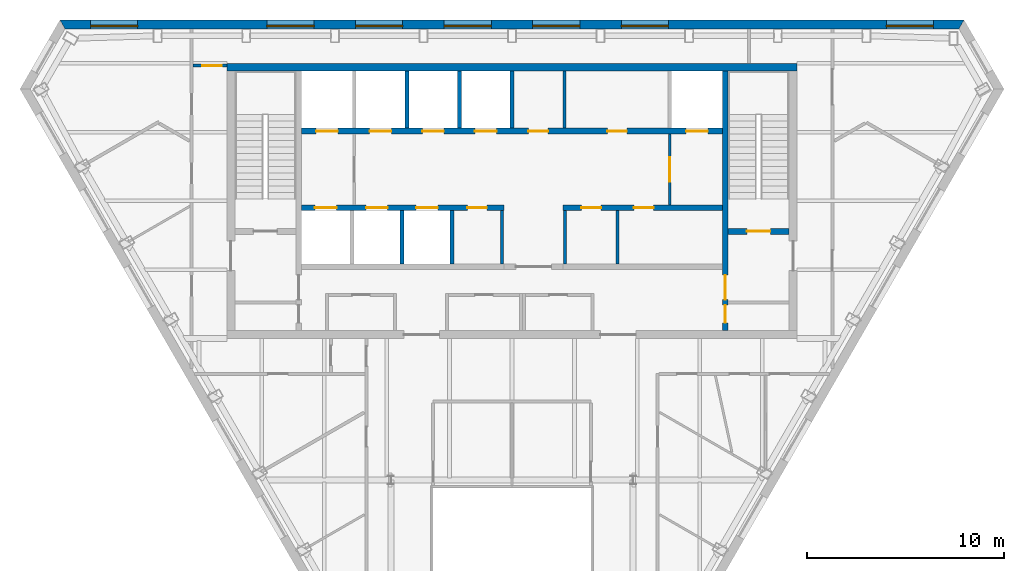
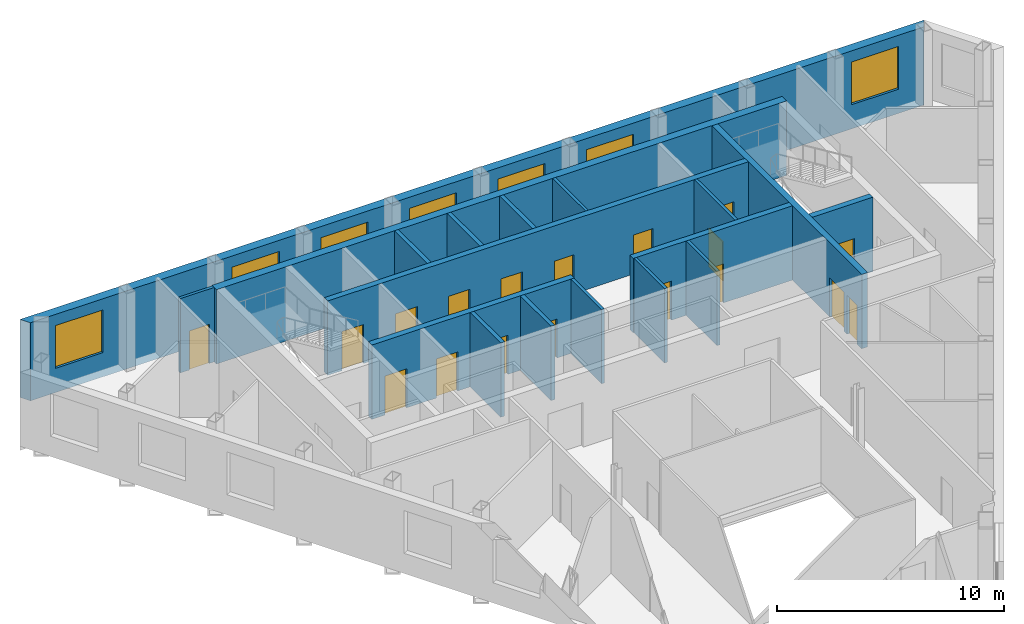
# One storey, part 6 of 10: 18 doors, 18 walls, 7 windows, 25 openings.
"""IFC4 building model written with IfcOpenShell, lengths in metres."""

from ifc_helpers import new_model, si_unit, direction, frame, frame_2d, origin, place, context, subcontext, project, spatial, polyline, rectangle, outline, extrude, material, layer, layer_set, type_object, element, fill, save


model = new_model("IFC4")

# Units and contexts
model_context = context("Model", 3, precision=1e-05, world=origin(), true_north=direction((0.0, 1.0)))
body_context = subcontext(model_context, "Body", "Model", "MODEL_VIEW")
ifc_project = project(units=[si_unit("LENGTHUNIT", "METRE"), si_unit("AREAUNIT", "SQUARE_METRE"), si_unit("VOLUMEUNIT", "CUBIC_METRE"), si_unit("PLANEANGLEUNIT", "RADIAN"), si_unit("MASSUNIT", "GRAM", prefix="KILO")], contexts=[model_context])

# Site, building, storey
site_placement = place(None, origin())
site = spatial("IfcSite", under=ifc_project, at=site_placement, CompositionType="ELEMENT")
building_placement = place(site_placement, origin())
building = spatial("IfcBuilding", under=site, at=building_placement, Name="Njiva Tower", CompositionType="ELEMENT")
storey_placement = place(building_placement, frame((0.0, 0.0, 329.4)))
storey = spatial("IfcBuildingStorey", under=building, at=storey_placement, Name="L75", CompositionType="ELEMENT", Elevation=329.4)

# Walls
ifc_material_1 = material(Name="Blockwork", Category="masonry")
ifc_layer_1 = layer(ifc_material_1, 0.15)
ifc_layer_set_1 = layer_set([ifc_layer_1], Name="Blockwork")
wall_type_1 = type_object("IfcWallType", Name="WT1 Compartment partition 150", PredefinedType="PARTITIONING", material=ifc_layer_set_1)
wall_1_placement = place(storey_placement, frame((2.675, 14.7, 0.0), z_axis=(0.0, 0.0, 1.0), x_axis=(0.0, 1.0, 0.0)))
element("IfcWall", 1, at=wall_1_placement, inside=storey, type_object=wall_type_1, Name="Partition CN5", PredefinedType="PARTITIONING", context=body_context, shape_type="SweptSolid", body=[
    extrude(rectangle(XDim=2.9, YDim=0.15, at=frame_2d((1.45, 0.0))), origin(), (0.0, 0.0, 1.0), 4.0),
])
for number, where, z_axis, x_axis, name in (
    (2, (-0.5, 7.8, 0.0), (0.0, 0.0, 1.0), (0.0, 1.0, 0.0), "Partition CS4"),
    (3, (2.7, 7.8, 0.0), (0.0, 0.0, 1.0), (0.0, 1.0, 0.0), "Partition CS5"),
    (4, (5.3667, 7.8, 0.0), (0.0, 0.0, 1.0), (0.0, 1.0, 0.0), "Partition CS6"),
):
    element("IfcWall", number, at=place(storey_placement, frame(where, z_axis=z_axis, x_axis=x_axis)), inside=storey, type_object=wall_type_1, Name=name, PredefinedType="PARTITIONING", context=body_context, shape_type="SweptSolid", body=[
        extrude(rectangle(XDim=2.7, YDim=0.15, at=frame_2d((1.35, 0.0))), origin(), (0.0, 0.0, 1.0), 4.0),
    ])

# Wall, openings, doors
ifc_material_2 = material(Name="Concrete C40/50", Category="concrete")
ifc_layer_2 = layer(ifc_material_2, 0.3)
ifc_layer_set_2 = layer_set([ifc_layer_2], Name="Concrete C40/50")
wall_type_2 = type_object("IfcWallType", Name="WT10 Stair enclosure wall 300", PredefinedType="SHEAR", material=ifc_layer_set_2)
wall_2_placement = place(storey_placement, frame((10.85, 4.4, 0.0), z_axis=(0.0, 0.0, 1.0), x_axis=(0.0, 1.0, 0.0)))
wall_2 = element("IfcWall", 5, at=wall_2_placement, inside=storey, type_object=wall_type_2, Name="Stair wall east inner", PredefinedType="SHEAR", context=body_context, shape_type="SweptSolid", body=[
    extrude(rectangle(XDim=13.2, YDim=0.3, at=frame_2d((6.6, 0.0))), origin(), (0.0, 0.0, 1.0), 4.0),
])
opening_1_placement = place(wall_2_placement, frame((1.575, 0.0, 0.0)))
opening_1 = element("IfcOpeningElement", 6, at=opening_1_placement, cuts=wall_2, Name="Opening S26-D921", PredefinedType="OPENING", context=body_context, shape_type="SweptSolid", body=[
    extrude(rectangle(XDim=1.25, YDim=2.1, at=frame_2d((0.625, 1.05))), frame((0.0, 0.16, 0.0), z_axis=(0.0, -1.0, 0.0), x_axis=(1.0, 0.0, 0.0)), (0.0, 0.0, 1.0), 0.32),
])
opening_2_placement = place(wall_2_placement, frame((0.4, 0.0, 0.0)))
opening_2 = element("IfcOpeningElement", 7, at=opening_2_placement, cuts=wall_2, Name="Opening S26-D923", PredefinedType="OPENING", context=body_context, shape_type="SweptSolid", body=[
    extrude(rectangle(XDim=0.9, YDim=2.1, at=frame_2d((0.45, 1.05))), frame((0.0, 0.16, 0.0), z_axis=(0.0, -1.0, 0.0), x_axis=(1.0, 0.0, 0.0)), (0.0, 0.0, 1.0), 0.32),
])
ifc_material_3 = material(Name="Steel door, painted", Category="steel")
door_type_1 = type_object("IfcDoorType", Name="D13 Steel door 900x2100", OperationType="SINGLE_SWING_LEFT", PredefinedType="DOOR", material=ifc_material_3)
door_1_placement = place(opening_2_placement, origin())
door_1 = element("IfcDoor", 8, at=door_1_placement, inside=storey, type_object=door_type_1, Name="Business centre door", OperationType="SINGLE_SWING_LEFT", OverallHeight=2.1, OverallWidth=0.9, PredefinedType="DOOR", context=body_context, shape_type="SweptSolid", body=[
    extrude(rectangle(XDim=0.9, YDim=2.1, at=frame_2d((0.45, 1.05))), frame((0.0, 0.025, 0.0), z_axis=(0.0, -1.0, 0.0), x_axis=(1.0, 0.0, 0.0)), (0.0, 0.0, 1.0), 0.05),
])
fill(opening_2, door_1)
ifc_material_4 = material(Name="Glazed steel fire door", Category="steel")
door_type_2 = type_object("IfcDoorType", Name="D8 Vestibule corridor door 1250x2100 glazed", OperationType="SINGLE_SWING_LEFT", PredefinedType="DOOR", material=ifc_material_4)
door_2_placement = place(opening_1_placement, origin())
door_2 = element("IfcDoor", 9, at=door_2_placement, inside=storey, type_object=door_type_2, Name="Stair vestibule corridor door", OperationType="SINGLE_SWING_RIGHT", OverallHeight=2.1, OverallWidth=1.25, PredefinedType="DOOR", context=body_context, shape_type="SweptSolid", body=[
    extrude(rectangle(XDim=1.25, YDim=2.1, at=frame_2d((0.625, 1.05))), frame((0.0, 0.025, 0.0), z_axis=(0.0, -1.0, 0.0), x_axis=(1.0, 0.0, 0.0)), (0.0, 0.0, 1.0), 0.05),
])
fill(opening_1, door_2)

# Wall, opening, door
wall_3_placement = place(storey_placement, frame((11.0, 9.45, 0.0), z_axis=(0.0, 0.0, 1.0), x_axis=(1.0, 0.0, 0.0)))
wall_3 = element("IfcWall", 10, at=wall_3_placement, inside=storey, type_object=wall_type_2, Name="Stair B south wall", PredefinedType="SHEAR", context=body_context, shape_type="SweptSolid", body=[
    extrude(rectangle(XDim=3.1, YDim=0.3, at=frame_2d((1.55, 0.0))), origin(), (0.0, 0.0, 1.0), 4.0),
])
opening_3_placement = place(wall_3_placement, frame((0.95, 0.0, 0.0)))
opening_3 = element("IfcOpeningElement", 11, at=opening_3_placement, cuts=wall_3, Name="Opening S26-D920", PredefinedType="OPENING", context=body_context, shape_type="SweptSolid", body=[
    extrude(rectangle(XDim=1.2, YDim=2.1, at=frame_2d((0.6, 1.05))), frame((0.0, 0.16, 0.0), z_axis=(0.0, -1.0, 0.0), x_axis=(1.0, 0.0, 0.0)), (0.0, 0.0, 1.0), 0.32),
])
door_type_3 = type_object("IfcDoorType", Name="D7 Stair vestibule door 1200x2100 glazed", OperationType="SINGLE_SWING_LEFT", PredefinedType="DOOR", material=ifc_material_4)
door_3_placement = place(opening_3_placement, origin())
door_3 = element("IfcDoor", 12, at=door_3_placement, inside=storey, type_object=door_type_3, Name="Stair B door", OperationType="SINGLE_SWING_LEFT", OverallHeight=2.1, OverallWidth=1.2, PredefinedType="DOOR", context=body_context, shape_type="SweptSolid", body=[
    extrude(rectangle(XDim=1.2, YDim=2.1, at=frame_2d((0.6, 1.05))), frame((0.0, 0.025, 0.0), z_axis=(0.0, -1.0, 0.0), x_axis=(1.0, 0.0, 0.0)), (0.0, 0.0, 1.0), 0.05),
])
fill(opening_3, door_3)

# Wall
ifc_material_5 = material(Name="Concrete C60/75", Category="concrete")
ifc_layer_3 = layer(ifc_material_5, 0.4)
ifc_layer_set_3 = layer_set([ifc_layer_3], Name="Concrete C60/75")
wall_type_3 = type_object("IfcWallType", Name="WT11 Core wall 400", PredefinedType="SHEAR", material=ifc_layer_set_3)
wall_4_placement = place(storey_placement, frame((-14.5, 17.8, 0.0), z_axis=(0.0, 0.0, 1.0), x_axis=(1.0, 0.0, 0.0)))
element("IfcWall", 13, at=wall_4_placement, inside=storey, type_object=wall_type_3, Name="Core wall north", PredefinedType="SHEAR", context=body_context, shape_type="SweptSolid", body=[
    extrude(rectangle(XDim=29.0, YDim=0.4, at=frame_2d((14.5, 0.0))), origin(), (0.0, 0.0, 1.0), 4.0),
])

# Wall, opening, door
ifc_layer_4 = layer(ifc_material_1, 0.15)
ifc_layer_set_4 = layer_set([ifc_layer_4], Name="Blockwork")
wall_type_4 = type_object("IfcWallType", Name="WT2 Lobby partition 150", PredefinedType="PARTITIONING", material=ifc_layer_set_4)
wall_5_placement = place(storey_placement, frame((8.025, 10.8, 0.0), z_axis=(0.0, 0.0, 1.0), x_axis=(0.0, 1.0, 0.0)))
wall_5 = element("IfcWall", 14, at=wall_5_placement, inside=storey, type_object=wall_type_4, Name="Firefighting lobby wall B", PredefinedType="PARTITIONING", context=body_context, shape_type="SweptSolid", body=[
    extrude(rectangle(XDim=3.6, YDim=0.15, at=frame_2d((1.8, 0.0))), origin(), (0.0, 0.0, 1.0), 4.0),
])
opening_4_placement = place(wall_5_placement, frame((1.175, 0.0, 0.0)))
opening_4 = element("IfcOpeningElement", 15, at=opening_4_placement, cuts=wall_5, Name="Opening S26-D919", PredefinedType="OPENING", context=body_context, shape_type="SweptSolid", body=[
    extrude(rectangle(XDim=1.25, YDim=2.1, at=frame_2d((0.625, 1.05))), frame((0.0, 0.085, 0.0), z_axis=(0.0, -1.0, 0.0), x_axis=(1.0, 0.0, 0.0)), (0.0, 0.0, 1.0), 0.17),
])
door_4_placement = place(opening_4_placement, origin())
door_4 = element("IfcDoor", 16, at=door_4_placement, inside=storey, type_object=door_type_2, Name="Stair vestibule corridor door", OperationType="SINGLE_SWING_LEFT", OverallHeight=2.1, OverallWidth=1.25, PredefinedType="DOOR", context=body_context, shape_type="SweptSolid", body=[
    extrude(rectangle(XDim=1.25, YDim=2.1, at=frame_2d((0.625, 1.05))), frame((0.0, 0.025, 0.0), z_axis=(0.0, -1.0, 0.0), x_axis=(1.0, 0.0, 0.0)), (0.0, 0.0, 1.0), 0.05),
])
fill(opening_4, door_4)

ifc_material_6 = material(Name="Gypsum board on steel studs", Category="gypsum")
ifc_layer_5 = layer(ifc_material_6, 0.15)
ifc_layer_set_5 = layer_set([ifc_layer_5], Name="Gypsum board on steel studs")
wall_type_5 = type_object("IfcWallType", Name="WT21 Compartment wall 150", PredefinedType="PARTITIONING", material=ifc_layer_set_5)
wall_6_placement = place(storey_placement, frame((-16.225, 17.879, 0.0), z_axis=(0.0, 0.0, 1.0), x_axis=(1.0, 0.0, 0.0)))
wall_6 = element("IfcWall", 17, at=wall_6_placement, inside=storey, type_object=wall_type_5, Name="Partition S26-P005", PredefinedType="PARTITIONING", context=body_context, shape_type="SweptSolid", body=[
    extrude(rectangle(XDim=1.725, YDim=0.15, at=frame_2d((0.8625, 0.0))), origin(), (0.0, 0.0, 1.0), 4.0),
])
opening_5_placement = place(wall_6_placement, frame((0.471, 0.0, 0.0)))
opening_5 = element("IfcOpeningElement", 18, at=opening_5_placement, cuts=wall_6, Name="Opening S26-D004", PredefinedType="OPENING", context=body_context, shape_type="SweptSolid", body=[
    extrude(rectangle(XDim=1.0, YDim=2.1, at=frame_2d((0.5, 1.05))), frame((0.0, 0.085, 0.0), z_axis=(0.0, -1.0, 0.0), x_axis=(1.0, 0.0, 0.0)), (0.0, 0.0, 1.0), 0.17),
])
ifc_material_7 = material(Name="Steel fire door set", Category="steel")
door_type_4 = type_object("IfcDoorType", Name="D37 Fire door 1000x2100", OperationType="SINGLE_SWING_LEFT", PredefinedType="DOOR", material=ifc_material_7)
door_5_placement = place(opening_5_placement, origin())
door_5 = element("IfcDoor", 19, at=door_5_placement, inside=storey, type_object=door_type_4, Name="Door S26-D004", OperationType="SINGLE_SWING_LEFT", OverallHeight=2.1, OverallWidth=1.0, PredefinedType="DOOR", context=body_context, shape_type="SweptSolid", body=[
    extrude(rectangle(XDim=1.0, YDim=2.1, at=frame_2d((0.5, 1.05))), frame((0.0, 0.025, 0.0), z_axis=(0.0, -1.0, 0.0), x_axis=(1.0, 0.0, 0.0)), (0.0, 0.0, 1.0), 0.05),
])
fill(opening_5, door_5)

# Walls
ifc_layer_6 = layer(ifc_material_2, 0.2)
ifc_layer_set_6 = layer_set([ifc_layer_6], Name="Concrete C40/50")
wall_type_6 = type_object("IfcWallType", Name="WT6 Lift shaft wall 200", PredefinedType="SHEAR", material=ifc_layer_set_6)
for number, where, z_axis, x_axis, name in (
    (20, (-5.35, 14.7, 0.0), (0.0, 0.0, 1.0), (0.0, 1.0, 0.0), "Shaft wall CN2"),
    (21, (-2.675, 14.7, 0.0), (0.0, 0.0, 1.0), (0.0, 1.0, 0.0), "Shaft wall CN3"),
    (22, (0.0, 14.7, 0.0), (0.0, 0.0, 1.0), (0.0, 1.0, 0.0), "Shaft wall CN4"),
):
    element("IfcWall", number, at=place(storey_placement, frame(where, z_axis=z_axis, x_axis=x_axis)), inside=storey, type_object=wall_type_6, Name=name, PredefinedType="SHEAR", context=body_context, shape_type="SweptSolid", body=[
        extrude(rectangle(XDim=2.9, YDim=0.2, at=frame_2d((1.45, 0.0))), origin(), (0.0, 0.0, 1.0), 4.0),
    ])
for number, where, z_axis, x_axis, name in (
    (23, (-5.6, 7.8, 0.0), (0.0, 0.0, 1.0), (0.0, 1.0, 0.0), "Shaft wall CS2"),
    (24, (-3.05, 7.8, 0.0), (0.0, 0.0, 1.0), (0.0, 1.0, 0.0), "Shaft wall CS3"),
):
    element("IfcWall", number, at=place(storey_placement, frame(where, z_axis=z_axis, x_axis=x_axis)), inside=storey, type_object=wall_type_6, Name=name, PredefinedType="SHEAR", context=body_context, shape_type="SweptSolid", body=[
        extrude(rectangle(XDim=2.7, YDim=0.2, at=frame_2d((1.35, 0.0))), origin(), (0.0, 0.0, 1.0), 4.0),
    ])

# Wall, openings, doors
ifc_layer_7 = layer(ifc_material_2, 0.3)
ifc_layer_set_7 = layer_set([ifc_layer_7], Name="Concrete C40/50")
wall_type_7 = type_object("IfcWallType", Name="WT7 Lift shaft wall 300", PredefinedType="SHEAR", material=ifc_layer_set_7)
wall_7_placement = place(storey_placement, frame((-10.7, 14.55, 0.0), z_axis=(0.0, 0.0, 1.0), x_axis=(1.0, 0.0, 0.0)))
wall_7 = element("IfcWall", 25, at=wall_7_placement, inside=storey, type_object=wall_type_7, Name="Shaft wall north row lobby side", PredefinedType="SHEAR", context=body_context, shape_type="SweptSolid", body=[
    extrude(rectangle(XDim=21.4, YDim=0.3, at=frame_2d((10.7, 0.0))), origin(), (0.0, 0.0, 1.0), 4.0),
])
opening_6_placement = place(wall_7_placement, frame((0.7375, 0.0, 0.0)))
opening_6 = element("IfcOpeningElement", 26, at=opening_6_placement, cuts=wall_7, Name="Opening S26-D901", PredefinedType="OPENING", context=body_context, shape_type="SweptSolid", body=[
    extrude(rectangle(XDim=1.1, YDim=2.1, at=frame_2d((0.55, 1.05))), frame((0.0, 0.16, 0.0), z_axis=(0.0, -1.0, 0.0), x_axis=(1.0, 0.0, 0.0)), (0.0, 0.0, 1.0), 0.32),
])
opening_7_placement = place(wall_7_placement, frame((3.4625, 0.0, 0.0)))
opening_7 = element("IfcOpeningElement", 27, at=opening_7_placement, cuts=wall_7, Name="Opening S26-D902", PredefinedType="OPENING", context=body_context, shape_type="SweptSolid", body=[
    extrude(rectangle(XDim=1.1, YDim=2.1, at=frame_2d((0.55, 1.05))), frame((0.0, 0.16, 0.0), z_axis=(0.0, -1.0, 0.0), x_axis=(1.0, 0.0, 0.0)), (0.0, 0.0, 1.0), 0.32),
])
opening_8_placement = place(wall_7_placement, frame((6.1375, 0.0, 0.0)))
opening_8 = element("IfcOpeningElement", 28, at=opening_8_placement, cuts=wall_7, Name="Opening S26-D903", PredefinedType="OPENING", context=body_context, shape_type="SweptSolid", body=[
    extrude(rectangle(XDim=1.1, YDim=2.1, at=frame_2d((0.55, 1.05))), frame((0.0, 0.16, 0.0), z_axis=(0.0, -1.0, 0.0), x_axis=(1.0, 0.0, 0.0)), (0.0, 0.0, 1.0), 0.32),
])
opening_9_placement = place(wall_7_placement, frame((8.8125, 0.0, 0.0)))
opening_9 = element("IfcOpeningElement", 29, at=opening_9_placement, cuts=wall_7, Name="Opening S26-D904", PredefinedType="OPENING", context=body_context, shape_type="SweptSolid", body=[
    extrude(rectangle(XDim=1.1, YDim=2.1, at=frame_2d((0.55, 1.05))), frame((0.0, 0.16, 0.0), z_axis=(0.0, -1.0, 0.0), x_axis=(1.0, 0.0, 0.0)), (0.0, 0.0, 1.0), 0.32),
])
opening_10_placement = place(wall_7_placement, frame((19.5625, 0.0, 0.0)))
opening_10 = element("IfcOpeningElement", 30, at=opening_10_placement, cuts=wall_7, Name="Opening S26-D905", PredefinedType="OPENING", context=body_context, shape_type="SweptSolid", body=[
    extrude(rectangle(XDim=1.1, YDim=2.1, at=frame_2d((0.55, 1.05))), frame((0.0, 0.16, 0.0), z_axis=(0.0, -1.0, 0.0), x_axis=(1.0, 0.0, 0.0)), (0.0, 0.0, 1.0), 0.32),
])
opening_11_placement = place(wall_7_placement, frame((11.5375, 0.0, 0.0)))
opening_11 = element("IfcOpeningElement", 31, at=opening_11_placement, cuts=wall_7, Name="Opening S26-D909", PredefinedType="OPENING", context=body_context, shape_type="SweptSolid", body=[
    extrude(rectangle(XDim=1.0, YDim=2.1, at=frame_2d((0.5, 1.05))), frame((0.0, 0.16, 0.0), z_axis=(0.0, -1.0, 0.0), x_axis=(1.0, 0.0, 0.0)), (0.0, 0.0, 1.0), 0.32),
])
opening_12_placement = place(wall_7_placement, frame((15.55, 0.0, 0.0)))
opening_12 = element("IfcOpeningElement", 32, at=opening_12_placement, cuts=wall_7, Name="Opening S26-D910", PredefinedType="OPENING", context=body_context, shape_type="SweptSolid", body=[
    extrude(rectangle(XDim=1.0, YDim=2.1, at=frame_2d((0.5, 1.05))), frame((0.0, 0.16, 0.0), z_axis=(0.0, -1.0, 0.0), x_axis=(1.0, 0.0, 0.0)), (0.0, 0.0, 1.0), 0.32),
])
door_type_5 = type_object("IfcDoorType", Name="D5 Steel door 1000x2100", OperationType="SINGLE_SWING_LEFT", PredefinedType="DOOR", material=ifc_material_3)
door_6_placement = place(opening_11_placement, origin())
door_6 = element("IfcDoor", 33, at=door_6_placement, inside=storey, type_object=door_type_5, Name="Quiet room door", OperationType="SINGLE_SWING_LEFT", OverallHeight=2.1, OverallWidth=1.0, PredefinedType="DOOR", context=body_context, shape_type="SweptSolid", body=[
    extrude(rectangle(XDim=1.0, YDim=2.1, at=frame_2d((0.5, 1.05))), frame((0.0, 0.025, 0.0), z_axis=(0.0, -1.0, 0.0), x_axis=(1.0, 0.0, 0.0)), (0.0, 0.0, 1.0), 0.05),
])
fill(opening_11, door_6)
door_7_placement = place(opening_12_placement, origin())
door_7 = element("IfcDoor", 34, at=door_7_placement, inside=storey, type_object=door_type_5, Name="Prayer room door", OperationType="SINGLE_SWING_LEFT", OverallHeight=2.1, OverallWidth=1.0, PredefinedType="DOOR", context=body_context, shape_type="SweptSolid", body=[
    extrude(rectangle(XDim=1.0, YDim=2.1, at=frame_2d((0.5, 1.05))), frame((0.0, 0.025, 0.0), z_axis=(0.0, -1.0, 0.0), x_axis=(1.0, 0.0, 0.0)), (0.0, 0.0, 1.0), 0.05),
])
fill(opening_12, door_7)
ifc_material_8 = material(Name="Stainless steel sliding door", Category="steel")
door_type_6 = type_object("IfcDoorType", Name="LD Lift landing door 1100x2100", OperationType="SLIDING_TO_LEFT", PredefinedType="DOOR", material=ifc_material_8)
door_8_placement = place(opening_6_placement, origin())
door_8 = element("IfcDoor", 35, at=door_8_placement, inside=storey, type_object=door_type_6, Name="Lift landing door FF1", OperationType="SLIDING_TO_LEFT", OverallHeight=2.1, OverallWidth=1.1, PredefinedType="DOOR", context=body_context, shape_type="SweptSolid", body=[
    extrude(rectangle(XDim=1.1, YDim=2.1, at=frame_2d((0.55, 1.05))), frame((0.0, 0.025, 0.0), z_axis=(0.0, -1.0, 0.0), x_axis=(1.0, 0.0, 0.0)), (0.0, 0.0, 1.0), 0.05),
])
fill(opening_6, door_8)
door_9_placement = place(opening_7_placement, origin())
door_9 = element("IfcDoor", 36, at=door_9_placement, inside=storey, type_object=door_type_6, Name="Lift landing door HB4", OperationType="SLIDING_TO_LEFT", OverallHeight=2.1, OverallWidth=1.1, PredefinedType="DOOR", context=body_context, shape_type="SweptSolid", body=[
    extrude(rectangle(XDim=1.1, YDim=2.1, at=frame_2d((0.55, 1.05))), frame((0.0, 0.025, 0.0), z_axis=(0.0, -1.0, 0.0), x_axis=(1.0, 0.0, 0.0)), (0.0, 0.0, 1.0), 0.05),
])
fill(opening_7, door_9)
door_10_placement = place(opening_8_placement, origin())
door_10 = element("IfcDoor", 37, at=door_10_placement, inside=storey, type_object=door_type_6, Name="Lift landing door HB5", OperationType="SLIDING_TO_LEFT", OverallHeight=2.1, OverallWidth=1.1, PredefinedType="DOOR", context=body_context, shape_type="SweptSolid", body=[
    extrude(rectangle(XDim=1.1, YDim=2.1, at=frame_2d((0.55, 1.05))), frame((0.0, 0.025, 0.0), z_axis=(0.0, -1.0, 0.0), x_axis=(1.0, 0.0, 0.0)), (0.0, 0.0, 1.0), 0.05),
])
fill(opening_8, door_10)
door_11_placement = place(opening_9_placement, origin())
door_11 = element("IfcDoor", 38, at=door_11_placement, inside=storey, type_object=door_type_6, Name="Lift landing door HB6", OperationType="SLIDING_TO_LEFT", OverallHeight=2.1, OverallWidth=1.1, PredefinedType="DOOR", context=body_context, shape_type="SweptSolid", body=[
    extrude(rectangle(XDim=1.1, YDim=2.1, at=frame_2d((0.55, 1.05))), frame((0.0, 0.025, 0.0), z_axis=(0.0, -1.0, 0.0), x_axis=(1.0, 0.0, 0.0)), (0.0, 0.0, 1.0), 0.05),
])
fill(opening_9, door_11)
door_12_placement = place(opening_10_placement, origin())
door_12 = element("IfcDoor", 39, at=door_12_placement, inside=storey, type_object=door_type_6, Name="Lift landing door FF2", OperationType="SLIDING_TO_LEFT", OverallHeight=2.1, OverallWidth=1.1, PredefinedType="DOOR", context=body_context, shape_type="SweptSolid", body=[
    extrude(rectangle(XDim=1.1, YDim=2.1, at=frame_2d((0.55, 1.05))), frame((0.0, 0.025, 0.0), z_axis=(0.0, -1.0, 0.0), x_axis=(1.0, 0.0, 0.0)), (0.0, 0.0, 1.0), 0.05),
])
fill(opening_10, door_12)

wall_8_placement = place(storey_placement, frame((-10.7, 10.65, 0.0), z_axis=(0.0, 0.0, 1.0), x_axis=(1.0, 0.0, 0.0)))
wall_8 = element("IfcWall", 40, at=wall_8_placement, inside=storey, type_object=wall_type_7, Name="Shaft wall south row lobby side W", PredefinedType="SHEAR", context=body_context, shape_type="SweptSolid", body=[
    extrude(rectangle(XDim=10.3, YDim=0.3, at=frame_2d((5.15, 0.0))), origin(), (0.0, 0.0, 1.0), 4.0),
])
opening_13_placement = place(wall_8_placement, frame((0.675, 0.0, 0.0)))
opening_13 = element("IfcOpeningElement", 41, at=opening_13_placement, cuts=wall_8, Name="Opening S26-D906", PredefinedType="OPENING", context=body_context, shape_type="SweptSolid", body=[
    extrude(rectangle(XDim=1.1, YDim=2.1, at=frame_2d((0.55, 1.05))), frame((0.0, 0.16, 0.0), z_axis=(0.0, -1.0, 0.0), x_axis=(1.0, 0.0, 0.0)), (0.0, 0.0, 1.0), 0.32),
])
opening_14_placement = place(wall_8_placement, frame((3.275, 0.0, 0.0)))
opening_14 = element("IfcOpeningElement", 42, at=opening_14_placement, cuts=wall_8, Name="Opening S26-D907", PredefinedType="OPENING", context=body_context, shape_type="SweptSolid", body=[
    extrude(rectangle(XDim=1.1, YDim=2.1, at=frame_2d((0.55, 1.05))), frame((0.0, 0.16, 0.0), z_axis=(0.0, -1.0, 0.0), x_axis=(1.0, 0.0, 0.0)), (0.0, 0.0, 1.0), 0.32),
])
opening_15_placement = place(wall_8_placement, frame((5.825, 0.0, 0.0)))
opening_15 = element("IfcOpeningElement", 43, at=opening_15_placement, cuts=wall_8, Name="Opening S26-D908", PredefinedType="OPENING", context=body_context, shape_type="SweptSolid", body=[
    extrude(rectangle(XDim=1.1, YDim=2.1, at=frame_2d((0.55, 1.05))), frame((0.0, 0.16, 0.0), z_axis=(0.0, -1.0, 0.0), x_axis=(1.0, 0.0, 0.0)), (0.0, 0.0, 1.0), 0.32),
])
opening_16_placement = place(wall_8_placement, frame((8.425, 0.0, 0.0)))
opening_16 = element("IfcOpeningElement", 44, at=opening_16_placement, cuts=wall_8, Name="Opening S26-D911", PredefinedType="OPENING", context=body_context, shape_type="SweptSolid", body=[
    extrude(rectangle(XDim=1.0, YDim=2.1, at=frame_2d((0.5, 1.05))), frame((0.0, 0.16, 0.0), z_axis=(0.0, -1.0, 0.0), x_axis=(1.0, 0.0, 0.0)), (0.0, 0.0, 1.0), 0.32),
])
door_13_placement = place(opening_16_placement, origin())
door_13 = element("IfcDoor", 45, at=door_13_placement, inside=storey, type_object=door_type_5, Name="Business centre door", OperationType="SINGLE_SWING_RIGHT", OverallHeight=2.1, OverallWidth=1.0, PredefinedType="DOOR", context=body_context, shape_type="SweptSolid", body=[
    extrude(rectangle(XDim=1.0, YDim=2.1, at=frame_2d((0.5, 1.05))), frame((0.0, 0.025, 0.0), z_axis=(0.0, -1.0, 0.0), x_axis=(1.0, 0.0, 0.0)), (0.0, 0.0, 1.0), 0.05),
])
fill(opening_16, door_13)
door_14_placement = place(opening_13_placement, origin())
door_14 = element("IfcDoor", 46, at=door_14_placement, inside=storey, type_object=door_type_6, Name="Lift landing door HB1", OperationType="SLIDING_TO_LEFT", OverallHeight=2.1, OverallWidth=1.1, PredefinedType="DOOR", context=body_context, shape_type="SweptSolid", body=[
    extrude(rectangle(XDim=1.1, YDim=2.1, at=frame_2d((0.55, 1.05))), frame((0.0, 0.025, 0.0), z_axis=(0.0, -1.0, 0.0), x_axis=(1.0, 0.0, 0.0)), (0.0, 0.0, 1.0), 0.05),
])
fill(opening_13, door_14)
door_15_placement = place(opening_14_placement, origin())
door_15 = element("IfcDoor", 47, at=door_15_placement, inside=storey, type_object=door_type_6, Name="Lift landing door HB2", OperationType="SLIDING_TO_LEFT", OverallHeight=2.1, OverallWidth=1.1, PredefinedType="DOOR", context=body_context, shape_type="SweptSolid", body=[
    extrude(rectangle(XDim=1.1, YDim=2.1, at=frame_2d((0.55, 1.05))), frame((0.0, 0.025, 0.0), z_axis=(0.0, -1.0, 0.0), x_axis=(1.0, 0.0, 0.0)), (0.0, 0.0, 1.0), 0.05),
])
fill(opening_14, door_15)
door_16_placement = place(opening_15_placement, origin())
door_16 = element("IfcDoor", 48, at=door_16_placement, inside=storey, type_object=door_type_6, Name="Lift landing door HB3", OperationType="SLIDING_TO_LEFT", OverallHeight=2.1, OverallWidth=1.1, PredefinedType="DOOR", context=body_context, shape_type="SweptSolid", body=[
    extrude(rectangle(XDim=1.1, YDim=2.1, at=frame_2d((0.55, 1.05))), frame((0.0, 0.025, 0.0), z_axis=(0.0, -1.0, 0.0), x_axis=(1.0, 0.0, 0.0)), (0.0, 0.0, 1.0), 0.05),
])
fill(opening_15, door_16)

wall_9_placement = place(storey_placement, frame((2.6, 10.65, 0.0), z_axis=(0.0, 0.0, 1.0), x_axis=(1.0, 0.0, 0.0)))
wall_9 = element("IfcWall", 49, at=wall_9_placement, inside=storey, type_object=wall_type_7, Name="Shaft wall south row lobby side E", PredefinedType="SHEAR", context=body_context, shape_type="SweptSolid", body=[
    extrude(rectangle(XDim=8.1, YDim=0.3, at=frame_2d((4.05, 0.0))), origin(), (0.0, 0.0, 1.0), 4.0),
])
opening_17_placement = place(wall_9_placement, frame((0.9334, 0.0, 0.0)))
opening_17 = element("IfcOpeningElement", 50, at=opening_17_placement, cuts=wall_9, Name="Opening S26-D912", PredefinedType="OPENING", context=body_context, shape_type="SweptSolid", body=[
    extrude(rectangle(XDim=1.0, YDim=2.1, at=frame_2d((0.5, 1.05))), frame((0.0, 0.16, 0.0), z_axis=(0.0, -1.0, 0.0), x_axis=(1.0, 0.0, 0.0)), (0.0, 0.0, 1.0), 0.32),
])
opening_18_placement = place(wall_9_placement, frame((3.6, 0.0, 0.0)))
opening_18 = element("IfcOpeningElement", 51, at=opening_18_placement, cuts=wall_9, Name="Opening S26-D913", PredefinedType="OPENING", context=body_context, shape_type="SweptSolid", body=[
    extrude(rectangle(XDim=1.0, YDim=2.1, at=frame_2d((0.5, 1.05))), frame((0.0, 0.16, 0.0), z_axis=(0.0, -1.0, 0.0), x_axis=(1.0, 0.0, 0.0)), (0.0, 0.0, 1.0), 0.32),
])
door_17_placement = place(opening_17_placement, origin())
door_17 = element("IfcDoor", 52, at=door_17_placement, inside=storey, type_object=door_type_5, Name="Meeting room door", OperationType="SINGLE_SWING_LEFT", OverallHeight=2.1, OverallWidth=1.0, PredefinedType="DOOR", context=body_context, shape_type="SweptSolid", body=[
    extrude(rectangle(XDim=1.0, YDim=2.1, at=frame_2d((0.5, 1.05))), frame((0.0, 0.025, 0.0), z_axis=(0.0, -1.0, 0.0), x_axis=(1.0, 0.0, 0.0)), (0.0, 0.0, 1.0), 0.05),
])
fill(opening_17, door_17)
door_18_placement = place(opening_18_placement, origin())
door_18 = element("IfcDoor", 53, at=door_18_placement, inside=storey, type_object=door_type_5, Name="Ventilation plant room door", OperationType="SINGLE_SWING_RIGHT", OverallHeight=2.1, OverallWidth=1.0, PredefinedType="DOOR", context=body_context, shape_type="SweptSolid", body=[
    extrude(rectangle(XDim=1.0, YDim=2.1, at=frame_2d((0.5, 1.05))), frame((0.0, 0.025, 0.0), z_axis=(0.0, -1.0, 0.0), x_axis=(1.0, 0.0, 0.0)), (0.0, 0.0, 1.0), 0.05),
])
fill(opening_18, door_18)

# Wall, openings, windows
ifc_material_9 = material(Name="Brick masonry", Category="masonry")
ifc_layer_8 = layer(ifc_material_9, 0.45)
ifc_layer_set_8 = layer_set([ifc_layer_8], Name="Brick masonry")
wall_type_8 = type_object("IfcWallType", Name="WT90 Brick pier and spandrel wall 450", PredefinedType="SOLIDWALL", material=ifc_layer_set_8)
wall_10_placement = place(storey_placement, frame((22.8651, 19.975, -0.4), z_axis=(0.0, 0.0, 1.0), x_axis=(-1.0, 0.0, 0.0)))
wall_10 = element("IfcWall", 54, at=wall_10_placement, inside=storey, type_object=wall_type_8, Name="Facade wall N", PredefinedType="SOLIDWALL", context=body_context, shape_type="SweptSolid", body=[
    extrude(outline(polyline([(-0.1299, -0.225), (45.8601, -0.225), (45.6003, 0.225), (0.1299, 0.225), (-0.1299, -0.225)])), origin(), (0.0, 0.0, 1.0), 4.2),
])
opening_19_placement = place(wall_10_placement, frame((1.4237, 0.0, 1.3)))
opening_19 = element("IfcOpeningElement", 55, at=opening_19_placement, cuts=wall_10, Name="Opening S26-W01", PredefinedType="OPENING", context=body_context, shape_type="SweptSolid", body=[
    extrude(rectangle(XDim=2.4, YDim=2.3, at=frame_2d((1.2, 1.15))), frame((0.0, 0.235, 0.0), z_axis=(0.0, -1.0, 0.0), x_axis=(1.0, 0.0, 0.0)), (0.0, 0.0, 1.0), 0.47),
])
opening_20_placement = place(wall_10_placement, frame((14.9052, 0.0, 1.3)))
opening_20 = element("IfcOpeningElement", 56, at=opening_20_placement, cuts=wall_10, Name="Opening S26-W02", PredefinedType="OPENING", context=body_context, shape_type="SweptSolid", body=[
    extrude(rectangle(XDim=2.4, YDim=2.3, at=frame_2d((1.2, 1.15))), frame((0.0, 0.235, 0.0), z_axis=(0.0, -1.0, 0.0), x_axis=(1.0, 0.0, 0.0)), (0.0, 0.0, 1.0), 0.47),
])
opening_21_placement = place(wall_10_placement, frame((19.4118, 0.0, 1.3)))
opening_21 = element("IfcOpeningElement", 57, at=opening_21_placement, cuts=wall_10, Name="Opening S26-W03", PredefinedType="OPENING", context=body_context, shape_type="SweptSolid", body=[
    extrude(rectangle(XDim=2.4, YDim=2.3, at=frame_2d((1.2, 1.15))), frame((0.0, 0.235, 0.0), z_axis=(0.0, -1.0, 0.0), x_axis=(1.0, 0.0, 0.0)), (0.0, 0.0, 1.0), 0.47),
])
opening_22_placement = place(wall_10_placement, frame((23.9184, 0.0, 1.3)))
opening_22 = element("IfcOpeningElement", 58, at=opening_22_placement, cuts=wall_10, Name="Opening S26-W04", PredefinedType="OPENING", context=body_context, shape_type="SweptSolid", body=[
    extrude(rectangle(XDim=2.4, YDim=2.3, at=frame_2d((1.2, 1.15))), frame((0.0, 0.235, 0.0), z_axis=(0.0, -1.0, 0.0), x_axis=(1.0, 0.0, 0.0)), (0.0, 0.0, 1.0), 0.47),
])
opening_23_placement = place(wall_10_placement, frame((28.425, 0.0, 1.3)))
opening_23 = element("IfcOpeningElement", 59, at=opening_23_placement, cuts=wall_10, Name="Opening S26-W05", PredefinedType="OPENING", context=body_context, shape_type="SweptSolid", body=[
    extrude(rectangle(XDim=2.4, YDim=2.3, at=frame_2d((1.2, 1.15))), frame((0.0, 0.235, 0.0), z_axis=(0.0, -1.0, 0.0), x_axis=(1.0, 0.0, 0.0)), (0.0, 0.0, 1.0), 0.47),
])
opening_24_placement = place(wall_10_placement, frame((32.9316, 0.0, 1.3)))
opening_24 = element("IfcOpeningElement", 60, at=opening_24_placement, cuts=wall_10, Name="Opening S26-W06", PredefinedType="OPENING", context=body_context, shape_type="SweptSolid", body=[
    extrude(rectangle(XDim=2.4, YDim=2.3, at=frame_2d((1.2, 1.15))), frame((0.0, 0.235, 0.0), z_axis=(0.0, -1.0, 0.0), x_axis=(1.0, 0.0, 0.0)), (0.0, 0.0, 1.0), 0.47),
])
opening_25_placement = place(wall_10_placement, frame((41.9065, 0.0, 1.3)))
opening_25 = element("IfcOpeningElement", 61, at=opening_25_placement, cuts=wall_10, Name="Opening S26-W07", PredefinedType="OPENING", context=body_context, shape_type="SweptSolid", body=[
    extrude(rectangle(XDim=2.4, YDim=2.3, at=frame_2d((1.2, 1.15))), frame((0.0, 0.235, 0.0), z_axis=(0.0, -1.0, 0.0), x_axis=(1.0, 0.0, 0.0)), (0.0, 0.0, 1.0), 0.47),
])
ifc_material_10 = material(Name="Clear glazing in aluminium frame", Category="aluminium")
window_type = type_object("IfcWindowType", Name="W91 Deep-set window 2400x2300", PartitioningType="SINGLE_PANEL", PredefinedType="WINDOW", material=ifc_material_10)
window_1_placement = place(opening_19_placement, origin())
window_1 = element("IfcWindow", 62, at=window_1_placement, inside=storey, type_object=window_type, Name="Window", OverallHeight=2.3, OverallWidth=2.4, PartitioningType="SINGLE_PANEL", PredefinedType="WINDOW", context=body_context, shape_type="SweptSolid", body=[
    extrude(rectangle(XDim=2.4, YDim=2.3, at=frame_2d((1.2, 1.15))), frame((0.0, 0.105, 0.0), z_axis=(0.0, -1.0, 0.0), x_axis=(1.0, 0.0, 0.0)), (0.0, 0.0, 1.0), 0.06),
])
fill(opening_19, window_1)
window_2_placement = place(opening_20_placement, origin())
window_2 = element("IfcWindow", 63, at=window_2_placement, inside=storey, type_object=window_type, Name="Window", OverallHeight=2.3, OverallWidth=2.4, PartitioningType="SINGLE_PANEL", PredefinedType="WINDOW", context=body_context, shape_type="SweptSolid", body=[
    extrude(rectangle(XDim=2.4, YDim=2.3, at=frame_2d((1.2, 1.15))), frame((0.0, 0.105, 0.0), z_axis=(0.0, -1.0, 0.0), x_axis=(1.0, 0.0, 0.0)), (0.0, 0.0, 1.0), 0.06),
])
fill(opening_20, window_2)
window_3_placement = place(opening_21_placement, origin())
window_3 = element("IfcWindow", 64, at=window_3_placement, inside=storey, type_object=window_type, Name="Window", OverallHeight=2.3, OverallWidth=2.4, PartitioningType="SINGLE_PANEL", PredefinedType="WINDOW", context=body_context, shape_type="SweptSolid", body=[
    extrude(rectangle(XDim=2.4, YDim=2.3, at=frame_2d((1.2, 1.15))), frame((0.0, 0.105, 0.0), z_axis=(0.0, -1.0, 0.0), x_axis=(1.0, 0.0, 0.0)), (0.0, 0.0, 1.0), 0.06),
])
fill(opening_21, window_3)
window_4_placement = place(opening_22_placement, origin())
window_4 = element("IfcWindow", 65, at=window_4_placement, inside=storey, type_object=window_type, Name="Window", OverallHeight=2.3, OverallWidth=2.4, PartitioningType="SINGLE_PANEL", PredefinedType="WINDOW", context=body_context, shape_type="SweptSolid", body=[
    extrude(rectangle(XDim=2.4, YDim=2.3, at=frame_2d((1.2, 1.15))), frame((0.0, 0.105, 0.0), z_axis=(0.0, -1.0, 0.0), x_axis=(1.0, 0.0, 0.0)), (0.0, 0.0, 1.0), 0.06),
])
fill(opening_22, window_4)
window_5_placement = place(opening_23_placement, origin())
window_5 = element("IfcWindow", 66, at=window_5_placement, inside=storey, type_object=window_type, Name="Window", OverallHeight=2.3, OverallWidth=2.4, PartitioningType="SINGLE_PANEL", PredefinedType="WINDOW", context=body_context, shape_type="SweptSolid", body=[
    extrude(rectangle(XDim=2.4, YDim=2.3, at=frame_2d((1.2, 1.15))), frame((0.0, 0.105, 0.0), z_axis=(0.0, -1.0, 0.0), x_axis=(1.0, 0.0, 0.0)), (0.0, 0.0, 1.0), 0.06),
])
fill(opening_23, window_5)
window_6_placement = place(opening_24_placement, origin())
window_6 = element("IfcWindow", 67, at=window_6_placement, inside=storey, type_object=window_type, Name="Window", OverallHeight=2.3, OverallWidth=2.4, PartitioningType="SINGLE_PANEL", PredefinedType="WINDOW", context=body_context, shape_type="SweptSolid", body=[
    extrude(rectangle(XDim=2.4, YDim=2.3, at=frame_2d((1.2, 1.15))), frame((0.0, 0.105, 0.0), z_axis=(0.0, -1.0, 0.0), x_axis=(1.0, 0.0, 0.0)), (0.0, 0.0, 1.0), 0.06),
])
fill(opening_24, window_6)
window_7_placement = place(opening_25_placement, origin())
window_7 = element("IfcWindow", 68, at=window_7_placement, inside=storey, type_object=window_type, Name="Window", OverallHeight=2.3, OverallWidth=2.4, PartitioningType="SINGLE_PANEL", PredefinedType="WINDOW", context=body_context, shape_type="SweptSolid", body=[
    extrude(rectangle(XDim=2.4, YDim=2.3, at=frame_2d((1.2, 1.15))), frame((0.0, 0.105, 0.0), z_axis=(0.0, -1.0, 0.0), x_axis=(1.0, 0.0, 0.0)), (0.0, 0.0, 1.0), 0.06),
])
fill(opening_25, window_7)

save(model, "model.ifc")
